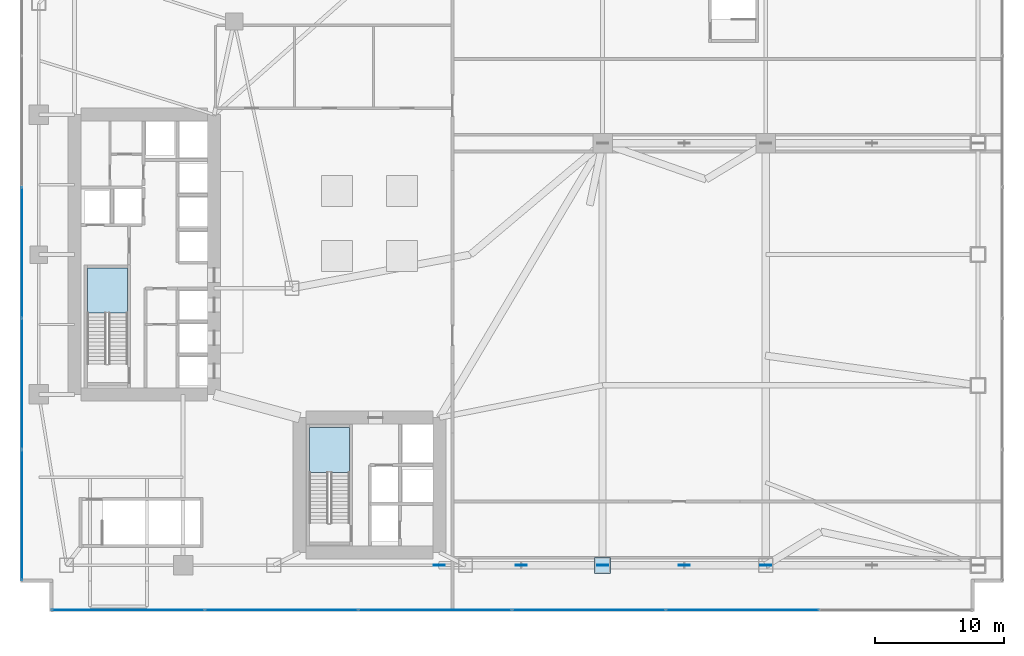
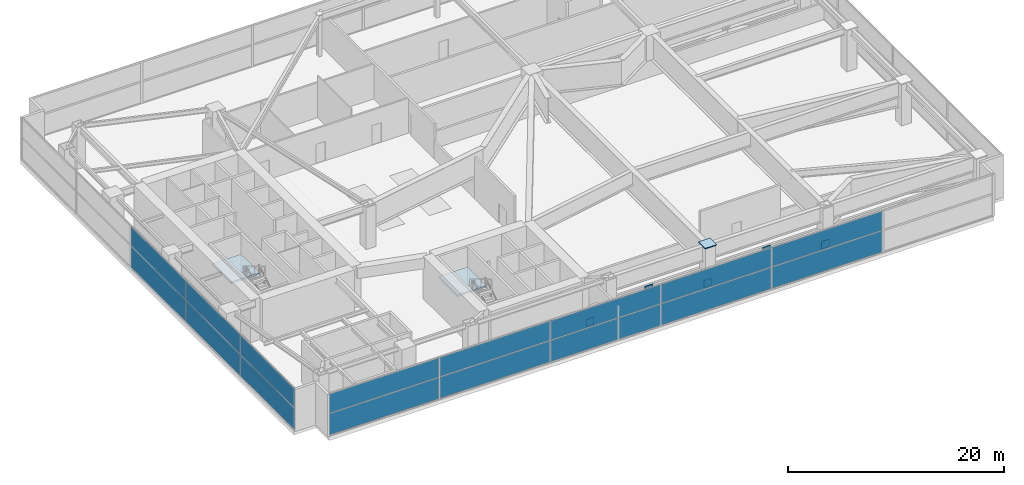
# One storey, part 28 of 36: 22 plates, 2 slabs, 4 elements without a shape of their own.
"""IFC4 building model written with IfcOpenShell, lengths in metres."""

from ifc_helpers import new_model, si_unit, direction, frame, origin, origin_2d, place, context, subcontext, project, spatial, polyline, rectangle, outline, extrude, material, layer, layer_set, type_object, element, aggregate, save


model = new_model("IFC4")

# Units and contexts
model_context = context("Model", 3, precision=1e-05, world=origin(), true_north=direction((0.0, 1.0)))
body_context = subcontext(model_context, "Body", "Model", "MODEL_VIEW")
ifc_project = project(units=[si_unit("LENGTHUNIT", "METRE"), si_unit("AREAUNIT", "SQUARE_METRE"), si_unit("VOLUMEUNIT", "CUBIC_METRE"), si_unit("PLANEANGLEUNIT", "RADIAN"), si_unit("MASSUNIT", "GRAM", prefix="KILO")], contexts=[model_context])

# Site, building, storey
site_placement = place(None, origin())
site = spatial("IfcSite", under=ifc_project, at=site_placement, CompositionType="ELEMENT")
building_placement = place(site_placement, origin())
building = spatial("IfcBuilding", under=site, at=building_placement, Name="Calvorn Quay Hotel", CompositionType="ELEMENT")
storey_placement = place(building_placement, frame((0.0, 0.0, 22.0)))
storey = spatial("IfcBuildingStorey", under=building, at=storey_placement, Name="L04", CompositionType="ELEMENT", Elevation=22.0)

# Curtain wall, plates
ifc_material_1 = material(Name="Pale Anodised Aluminium and Low-E Glass", Category="aluminium")
ifc_layer_1 = layer(ifc_material_1, 0.219970703125)
ifc_layer_set_1 = layer_set([ifc_layer_1], Name="CW-SYS-POD")
curtain_wall_type = type_object("IfcCurtainWallType", Name="CW-SYS-POD", PredefinedType="NOTDEFINED", material=ifc_layer_set_1)
curtain_wall_1_placement = place(storey_placement, origin())
curtain_wall_1 = element("IfcCurtainWall", 1, at=curtain_wall_1_placement, inside=storey, type_object=curtain_wall_type, Name="Podium Curtain Wall L04-S1", PredefinedType="NOTDEFINED")
ifc_material_2 = material(Name="Low-E Laminated Double Glazing", Category="glass")
ifc_layer_2 = layer(ifc_material_2, 0.028076171875)
ifc_layer_set_2 = layer_set([ifc_layer_2], Name="CW-SYS-POD-PAN")
plate_type_1 = type_object("IfcPlateType", Name="CW-SYS-POD-PAN", PredefinedType="CURTAIN_PANEL", material=ifc_layer_set_2)
plate_1_placement = place(storey_placement, frame((8.348388671875, 0.14990234375, 0.06005859375), z_axis=(0.0, 0.0, 1.0), x_axis=(1.0, 0.0, 0.0)))
plate_1 = element("IfcPlate", 2, at=plate_1_placement, type_object=plate_type_1, Name="CW-L04-S1 panel 1.1", PredefinedType="CURTAIN_PANEL", context=body_context, shape_type="SweptSolid", body=[
    extrude(rectangle(XDim=11.776611328125, YDim=0.028076171875, at=origin_2d()), origin(), (0.0, 0.0, 1.0), 2.409912109375),
])
plate_2_placement = place(storey_placement, frame((8.348388671875, 0.14990234375, 2.530029296875), z_axis=(0.0, 0.0, 1.0), x_axis=(1.0, 0.0, 0.0)))
plate_2 = element("IfcPlate", 3, at=plate_2_placement, type_object=plate_type_1, Name="CW-L04-S1 panel 1.2", PredefinedType="CURTAIN_PANEL", context=body_context, shape_type="SweptSolid", body=[
    extrude(rectangle(XDim=11.776611328125, YDim=0.028076171875, at=origin_2d()), origin(), (0.0, 0.0, 1.0), 2.169921875),
])
plate_3_placement = place(storey_placement, frame((20.199951171875, 0.14990234375, 0.06005859375), z_axis=(0.0, 0.0, 1.0), x_axis=(1.0, 0.0, 0.0)))
plate_3 = element("IfcPlate", 4, at=plate_3_placement, type_object=plate_type_1, Name="CW-L04-S1 panel 2.1", PredefinedType="CURTAIN_PANEL", context=body_context, shape_type="SweptSolid", body=[
    extrude(rectangle(XDim=11.806640625, YDim=0.028076171875, at=origin_2d()), origin(), (0.0, 0.0, 1.0), 2.409912109375),
])
plate_4_placement = place(storey_placement, frame((20.199951171875, 0.14990234375, 2.530029296875), z_axis=(0.0, 0.0, 1.0), x_axis=(1.0, 0.0, 0.0)))
plate_4 = element("IfcPlate", 5, at=plate_4_placement, type_object=plate_type_1, Name="CW-L04-S1 panel 2.2", PredefinedType="CURTAIN_PANEL", context=body_context, shape_type="SweptSolid", body=[
    extrude(rectangle(XDim=11.806640625, YDim=0.028076171875, at=origin_2d()), origin(), (0.0, 0.0, 1.0), 2.169921875),
])
plate_5_placement = place(storey_placement, frame((32.066650390625, 0.14990234375, 0.06005859375), z_axis=(0.0, 0.0, 1.0), x_axis=(1.0, 0.0, 0.0)))
plate_5 = element("IfcPlate", 6, at=plate_5_placement, type_object=plate_type_1, Name="CW-L04-S1 panel 3.1", PredefinedType="CURTAIN_PANEL", context=body_context, shape_type="SweptSolid", body=[
    extrude(rectangle(XDim=11.806640625, YDim=0.028076171875, at=origin_2d()), origin(), (0.0, 0.0, 1.0), 2.409912109375),
])
plate_6_placement = place(storey_placement, frame((32.066650390625, 0.14990234375, 2.530029296875), z_axis=(0.0, 0.0, 1.0), x_axis=(1.0, 0.0, 0.0)))
plate_6 = element("IfcPlate", 7, at=plate_6_placement, type_object=plate_type_1, Name="CW-L04-S1 panel 3.2", PredefinedType="CURTAIN_PANEL", context=body_context, shape_type="SweptSolid", body=[
    extrude(rectangle(XDim=11.806640625, YDim=0.028076171875, at=origin_2d()), origin(), (0.0, 0.0, 1.0), 2.169921875),
])
plate_7_placement = place(storey_placement, frame((43.933349609375, 0.14990234375, 0.06005859375), z_axis=(0.0, 0.0, 1.0), x_axis=(1.0, 0.0, 0.0)))
plate_7 = element("IfcPlate", 8, at=plate_7_placement, type_object=plate_type_1, Name="CW-L04-S1 panel 4.1", PredefinedType="CURTAIN_PANEL", context=body_context, shape_type="SweptSolid", body=[
    extrude(rectangle(XDim=11.806640625, YDim=0.028076171875, at=origin_2d()), origin(), (0.0, 0.0, 1.0), 2.409912109375),
])
plate_8_placement = place(storey_placement, frame((43.933349609375, 0.14990234375, 2.530029296875), z_axis=(0.0, 0.0, 1.0), x_axis=(1.0, 0.0, 0.0)))
plate_8 = element("IfcPlate", 9, at=plate_8_placement, type_object=plate_type_1, Name="CW-L04-S1 panel 4.2", PredefinedType="CURTAIN_PANEL", context=body_context, shape_type="SweptSolid", body=[
    extrude(rectangle(XDim=11.806640625, YDim=0.028076171875, at=origin_2d()), origin(), (0.0, 0.0, 1.0), 2.169921875),
])
plate_9_placement = place(storey_placement, frame((55.800048828125, 0.14990234375, 0.06005859375), z_axis=(0.0, 0.0, 1.0), x_axis=(1.0, 0.0, 0.0)))
plate_9 = element("IfcPlate", 10, at=plate_9_placement, type_object=plate_type_1, Name="CW-L04-S1 panel 5.1", PredefinedType="CURTAIN_PANEL", context=body_context, shape_type="SweptSolid", body=[
    extrude(rectangle(XDim=11.806640625, YDim=0.028076171875, at=origin_2d()), origin(), (0.0, 0.0, 1.0), 2.409912109375),
])
plate_10_placement = place(storey_placement, frame((55.800048828125, 0.14990234375, 2.530029296875), z_axis=(0.0, 0.0, 1.0), x_axis=(1.0, 0.0, 0.0)))
plate_10 = element("IfcPlate", 11, at=plate_10_placement, type_object=plate_type_1, Name="CW-L04-S1 panel 5.2", PredefinedType="CURTAIN_PANEL", context=body_context, shape_type="SweptSolid", body=[
    extrude(rectangle(XDim=11.806640625, YDim=0.028076171875, at=origin_2d()), origin(), (0.0, 0.0, 1.0), 2.169921875),
])
aggregate(curtain_wall_1, [plate_1, plate_2, plate_3, plate_4, plate_5, plate_6, plate_7, plate_8, plate_9, plate_10])

curtain_wall_2_placement = place(storey_placement, origin())
curtain_wall_2 = element("IfcCurtainWall", 12, at=curtain_wall_2_placement, inside=storey, type_object=curtain_wall_type, Name="Podium Curtain Wall L04-W1", PredefinedType="NOTDEFINED")
plate_11_placement = place(storey_placement, frame((0.14990234375, 7.485107421875, 0.06005859375), z_axis=(0.0, 0.0, 1.0), x_axis=(0.0, 1.0, 0.0)))
plate_11 = element("IfcPlate", 13, at=plate_11_placement, type_object=plate_type_1, Name="CW-L04-W1 panel 1.1", PredefinedType="CURTAIN_PANEL", context=body_context, shape_type="SweptSolid", body=[
    extrude(rectangle(XDim=10.050048828125, YDim=0.028076171875, at=origin_2d()), origin(), (0.0, 0.0, 1.0), 2.409912109375),
])
plate_12_placement = place(storey_placement, frame((0.14990234375, 7.485107421875, 2.530029296875), z_axis=(0.0, 0.0, 1.0), x_axis=(0.0, 1.0, 0.0)))
plate_12 = element("IfcPlate", 14, at=plate_12_placement, type_object=plate_type_1, Name="CW-L04-W1 panel 1.2", PredefinedType="CURTAIN_PANEL", context=body_context, shape_type="SweptSolid", body=[
    extrude(rectangle(XDim=10.050048828125, YDim=0.028076171875, at=origin_2d()), origin(), (0.0, 0.0, 1.0), 2.169921875),
])
plate_13_placement = place(storey_placement, frame((0.14990234375, 17.610107421875, 0.06005859375), z_axis=(0.0, 0.0, 1.0), x_axis=(0.0, 1.0, 0.0)))
plate_13 = element("IfcPlate", 15, at=plate_13_placement, type_object=plate_type_1, Name="CW-L04-W1 panel 2.1", PredefinedType="CURTAIN_PANEL", context=body_context, shape_type="SweptSolid", body=[
    extrude(rectangle(XDim=10.080078125, YDim=0.028076171875, at=origin_2d()), origin(), (0.0, 0.0, 1.0), 2.409912109375),
])
plate_14_placement = place(storey_placement, frame((0.14990234375, 17.610107421875, 2.530029296875), z_axis=(0.0, 0.0, 1.0), x_axis=(0.0, 1.0, 0.0)))
plate_14 = element("IfcPlate", 16, at=plate_14_placement, type_object=plate_type_1, Name="CW-L04-W1 panel 2.2", PredefinedType="CURTAIN_PANEL", context=body_context, shape_type="SweptSolid", body=[
    extrude(rectangle(XDim=10.080078125, YDim=0.028076171875, at=origin_2d()), origin(), (0.0, 0.0, 1.0), 2.169921875),
])
plate_15_placement = place(storey_placement, frame((0.14990234375, 27.75, 0.06005859375), z_axis=(0.0, 0.0, 1.0), x_axis=(0.0, 1.0, 0.0)))
plate_15 = element("IfcPlate", 17, at=plate_15_placement, type_object=plate_type_1, Name="CW-L04-W1 panel 3.1", PredefinedType="CURTAIN_PANEL", context=body_context, shape_type="SweptSolid", body=[
    extrude(rectangle(XDim=10.080078125, YDim=0.028076171875, at=origin_2d()), origin(), (0.0, 0.0, 1.0), 2.409912109375),
])
plate_16_placement = place(storey_placement, frame((0.14990234375, 27.75, 2.530029296875), z_axis=(0.0, 0.0, 1.0), x_axis=(0.0, 1.0, 0.0)))
plate_16 = element("IfcPlate", 18, at=plate_16_placement, type_object=plate_type_1, Name="CW-L04-W1 panel 3.2", PredefinedType="CURTAIN_PANEL", context=body_context, shape_type="SweptSolid", body=[
    extrude(rectangle(XDim=10.080078125, YDim=0.028076171875, at=origin_2d()), origin(), (0.0, 0.0, 1.0), 2.169921875),
])
aggregate(curtain_wall_2, [plate_11, plate_12, plate_13, plate_14, plate_15, plate_16])

# Plates
ifc_material_3 = material(Name="Steel Q420GJC", Category="steel")
ifc_layer_3 = layer(ifc_material_3, 0.050048828125)
ifc_layer_set_3 = layer_set([ifc_layer_3], Name="PLT-GUSSET-50")
plate_type_2 = type_object("IfcPlateType", Name="PLT-GUSSET-50", PredefinedType="SHEET", material=ifc_layer_set_3)
for number, where, z_axis, x_axis, name in (
    (19, (32.39990234375, 3.60009765625, -0.125), (0.0, 0.0, 1.0), (1.0, 0.0, 0.0), "Transfer Truss Gusset Plate 1-1A"),
    (20, (38.699951171875, 3.60009765625, 1.4150390625), (0.0, 0.0, 1.0), (1.0, 0.0, 0.0), "Transfer Truss Gusset Plate 1-1M"),
    (21, (45.0, 3.60009765625, -0.125), (0.0, 0.0, 1.0), (1.0, 0.0, 0.0), "Transfer Truss Gusset Plate 1-1B"),
    (22, (51.300048828125, 3.60009765625, 1.4150390625), (0.0, 0.0, 1.0), (1.0, 0.0, 0.0), "Transfer Truss Gusset Plate 1-2M"),
    (23, (57.60009765625, 3.60009765625, -0.125), (0.0, 0.0, 1.0), (1.0, 0.0, 0.0), "Transfer Truss Gusset Plate 1-2B"),
):
    element("IfcPlate", number, at=place(storey_placement, frame(where, z_axis=z_axis, x_axis=x_axis)), inside=storey, type_object=plate_type_2, Name=name, PredefinedType="SHEET", context=body_context, shape_type="SweptSolid", body=[
        extrude(rectangle(XDim=0.85009765625, YDim=0.050048828125, at=origin_2d()), origin(), (0.0, 0.0, 1.0), 0.85009765625),
    ])
ifc_material_4 = material(Name="Steel Q390GJC", Category="steel")
ifc_layer_4 = layer(ifc_material_4, 0.031982421875)
ifc_layer_set_4 = layer_set([ifc_layer_4], Name="PLT-SPLICE-32")
plate_type_3 = type_object("IfcPlateType", Name="PLT-SPLICE-32", PredefinedType="USERDEFINED", material=ifc_layer_set_4)
plate_17_placement = place(storey_placement, frame((45.0, 3.60009765625, 4.699951171875), z_axis=(0.0, 0.0, 1.0), x_axis=(1.0, 0.0, 0.0)))
element("IfcPlate", 24, at=plate_17_placement, inside=storey, type_object=plate_type_3, Name="Column Top Cap Plate C-PS4 (L04)", ObjectType="SPLICE_PLATE", PredefinedType="USERDEFINED", context=body_context, shape_type="SweptSolid", body=[
    extrude(rectangle(XDim=1.239990234375, YDim=1.239990234375, at=origin_2d()), origin(), (0.0, 0.0, 1.0), 0.10009765625),
])

# Stair, slab
ifc_material_5 = material(Name="Concrete C40", Category="concrete")
stair_type = type_object("IfcStairType", Name="STR-CORE-DOGLEG", PredefinedType="HALF_TURN_STAIR", material=ifc_material_5)
stair_1_placement = place(storey_placement, origin())
stair_1 = element("IfcStair", 25, at=stair_1_placement, inside=storey, type_object=stair_type, Name="L04 ST-W", PredefinedType="HALF_TURN_STAIR")
ifc_material_6 = material(Name="Concrete C40", Category="concrete")
ifc_layer_5 = layer(ifc_material_6, 0.199951171875)
ifc_layer_set_5 = layer_set([ifc_layer_5], Name="SLB-STAIR-LANDING-200")
slab_type = type_object("IfcSlabType", Name="SLB-STAIR-LANDING-200", PredefinedType="LANDING", material=ifc_layer_set_5)
slab_1_placement = place(storey_placement, frame((0.0, 0.0, 2.300048828125)))
slab_1 = element("IfcSlab", 26, at=slab_1_placement, type_object=slab_type, Name="ST-W landing 1", PredefinedType="LANDING", context=body_context, shape_type="SweptSolid", body=[
    extrude(outline(polyline([(8.300048828125, 23.070068359375), (8.300048828125, 26.550048828125), (5.199951171875, 26.550048828125), (5.199951171875, 23.070068359375), (8.300048828125, 23.070068359375)])), origin(), (0.0, 0.0, 1.0), 0.199951171875),
])
aggregate(stair_1, [slab_1])

stair_2_placement = place(storey_placement, origin())
stair_2 = element("IfcStair", 27, at=stair_2_placement, inside=storey, type_object=stair_type, Name="L04 ST-E", PredefinedType="HALF_TURN_STAIR")
slab_2_placement = place(storey_placement, frame((0.0, 0.0, 2.300048828125)))
slab_2 = element("IfcSlab", 28, at=slab_2_placement, type_object=slab_type, Name="ST-E landing 1", PredefinedType="LANDING", context=body_context, shape_type="SweptSolid", body=[
    extrude(outline(polyline([(25.449951171875, 10.77001953125), (25.449951171875, 14.25), (22.35009765625, 14.25), (22.35009765625, 10.77001953125), (25.449951171875, 10.77001953125)])), origin(), (0.0, 0.0, 1.0), 0.199951171875),
])
aggregate(stair_2, [slab_2])

save(model, "model.ifc")
